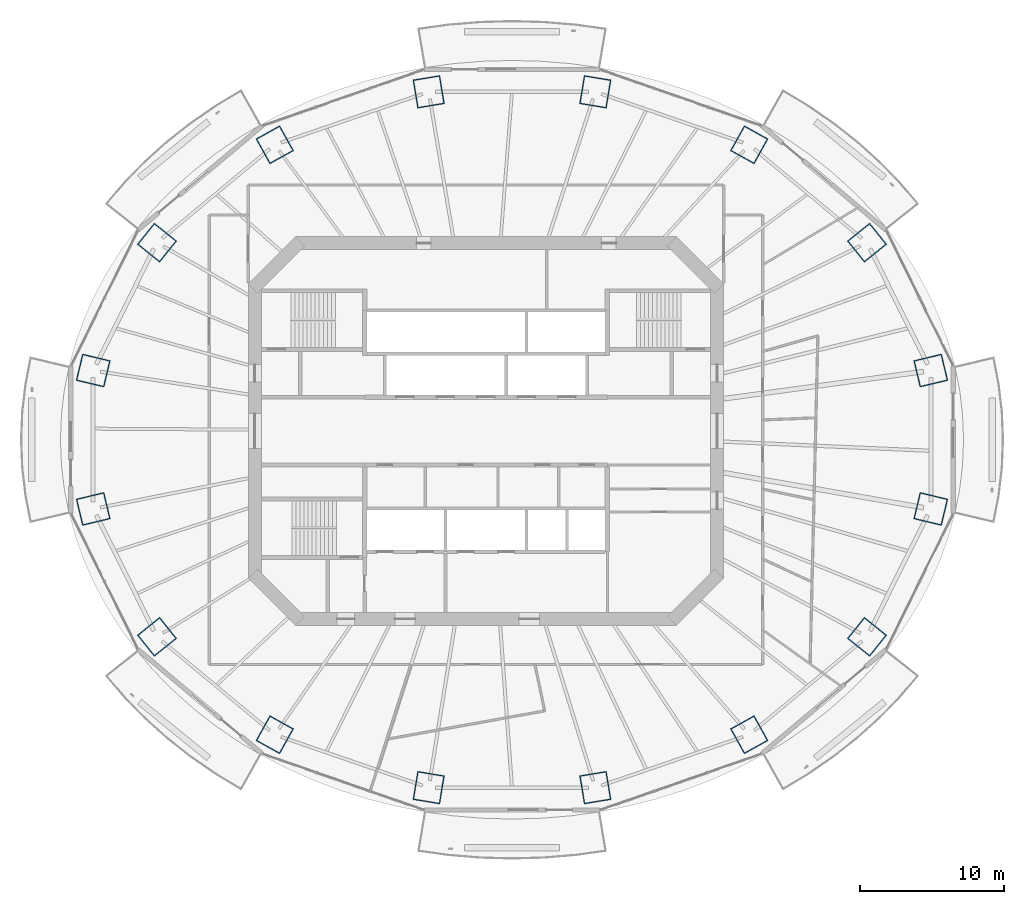
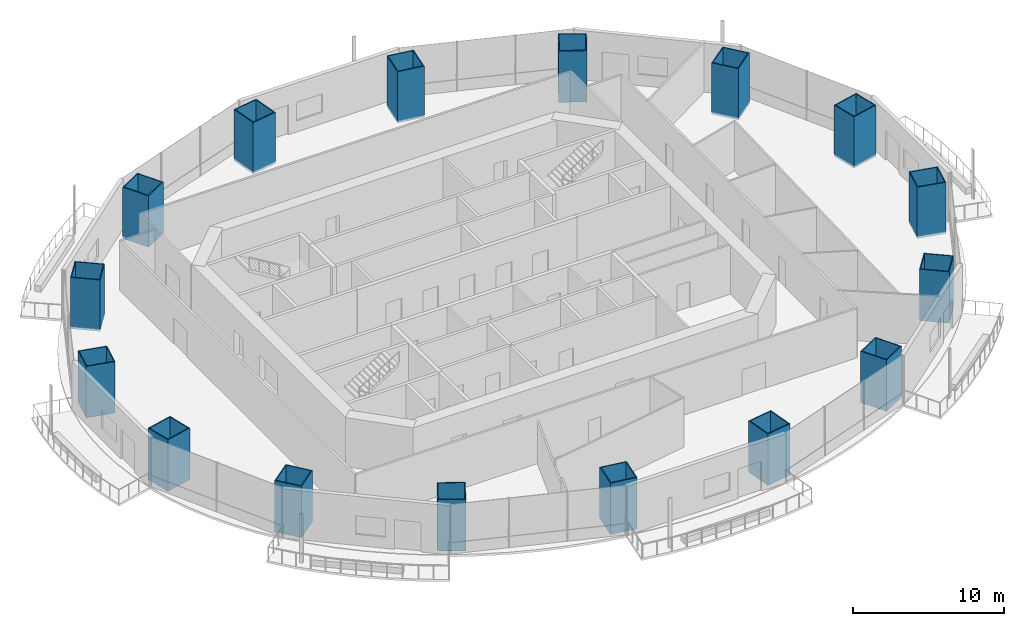
# One storey, part 1 of 20: 16 columns.
"""IFC4 building model written with IfcOpenShell, lengths in metres."""

from ifc_helpers import new_model, si_unit, direction, frame, origin, origin_2d, place, context, subcontext, project, spatial, rectangle, hollow_rectangle, extrude, material, material_profile, profile_set, type_object, element, save


model = new_model("IFC4")

# Units and contexts
model_context = context("Model", 3, precision=1e-05, world=origin(), true_north=direction((0.0, 1.0)))
body_context = subcontext(model_context, "Body", "Model", "MODEL_VIEW")
ifc_project = project(units=[si_unit("LENGTHUNIT", "METRE"), si_unit("AREAUNIT", "SQUARE_METRE"), si_unit("VOLUMEUNIT", "CUBIC_METRE"), si_unit("PLANEANGLEUNIT", "RADIAN"), si_unit("MASSUNIT", "GRAM", prefix="KILO")], contexts=[model_context])

# Site, building, storey
site_placement = place(None, origin())
site = spatial("IfcSite", under=ifc_project, at=site_placement, CompositionType="ELEMENT")
building_placement = place(site_placement, origin())
building = spatial("IfcBuilding", under=site, at=building_placement, Name="Marenthal Gate Tower", CompositionType="ELEMENT")
storey_placement = place(building_placement, frame((0.0, 0.0, 210.85009765625)))
storey = spatial("IfcBuildingStorey", under=building, at=storey_placement, Name="L46", CompositionType="ELEMENT", Elevation=210.85009765625)

# Columns
ifc_material_1 = material(Name="Steel S460", Category="steel")
ifc_material_profile_1 = material_profile(ifc_material_1, hollow_rectangle(XDim=1.89990234375, YDim=2.0, WallThickness=0.070068359375, at=origin_2d()), Name="CFT BOX 2000X1900X70")
ifc_material_2 = material(Name="Concrete 70 MPa", Category="concrete")
ifc_material_profile_2 = material_profile(ifc_material_2, rectangle(XDim=1.760009765625, YDim=1.860107421875, at=origin_2d()), Name="CFT BOX 2000X1900X70 INFILL")
ifc_profile_set = profile_set([ifc_material_profile_1, ifc_material_profile_2], Name="Steel S460 shell, Concrete 70 MPa infill")
column_type = type_object("IfcColumnType", Name="CFT BOX 2000X1900X70", PredefinedType="COLUMN", material=ifc_profile_set)
for number, where, z_axis, x_axis, name in (
    (1, (30.7822265625, 4.189453125, -0.18017578125), (0.0, 0.0, 1.0), (0.232842846574, -0.972514374598, 0.0), "COL-L46-01"),
    (2, (26.369873046875, 13.039306640625, -0.18017578125), (0.0, 0.0, 1.0), (0.626719421583, -0.779244997809, 0.0), "COL-L46-02"),
    (3, (18.217041015625, 19.8125, -0.18017578125), (0.0, 0.0, 1.0), (0.874319155172, -0.485351434426, 0.0), "COL-L46-03"),
    (4, (7.56494140625, 23.478271484375, -0.18017578125), (0.0, 0.0, 1.0), (0.986618870634, -0.163043565061, 0.0), "COL-L46-04"),
    (5, (-3.96484375, 23.478271484375, -0.18017578125), (0.0, 0.0, 1.0), (0.986618870634, 0.163043565061, 0.0), "COL-L46-05"),
    (6, (-14.6171875, 19.8125, -0.18017578125), (0.0, 0.0, 1.0), (0.874319155172, 0.485351434426, 0.0), "COL-L46-06"),
    (7, (-22.77001953125, 13.039306640625, -0.18017578125), (0.0, 0.0, 1.0), (0.626719421583, 0.779244997809, 0.0), "COL-L46-07"),
    (8, (-27.18212890625, 4.189453125, -0.18017578125), (0.0, 0.0, 1.0), (0.232842846574, 0.972514374598, 0.0), "COL-L46-08"),
    (9, (-27.18212890625, -5.389404296875, -0.18017578125), (0.0, 0.0, 1.0), (-0.232842846574, 0.972514374598, 0.0), "COL-L46-09"),
    (10, (-22.77001953125, -14.2392578125, -0.18017578125), (0.0, 0.0, 1.0), (-0.626719421583, 0.779244997809, 0.0), "COL-L46-10"),
    (11, (-14.6171875, -21.0126953125, -0.18017578125), (0.0, 0.0, 1.0), (-0.874319155172, 0.485351434426, 0.0), "COL-L46-11"),
    (12, (-3.96484375, -24.67822265625, -0.18017578125), (0.0, 0.0, 1.0), (-0.986618870634, 0.163043565061, 0.0), "COL-L46-12"),
    (13, (7.56494140625, -24.67822265625, -0.18017578125), (0.0, 0.0, 1.0), (-0.986618870634, -0.163043565061, 0.0), "COL-L46-13"),
    (14, (18.217041015625, -21.0126953125, -0.18017578125), (0.0, 0.0, 1.0), (-0.874319155172, -0.485351434426, 0.0), "COL-L46-14"),
    (15, (26.369873046875, -14.2392578125, -0.18017578125), (0.0, 0.0, 1.0), (-0.626719421583, -0.779244997809, 0.0), "COL-L46-15"),
    (16, (30.7822265625, -5.389404296875, -0.18017578125), (0.0, 0.0, 1.0), (-0.232842846574, -0.972514374598, 0.0), "COL-L46-16"),
):
    element("IfcColumn", number, at=place(storey_placement, frame(where, z_axis=z_axis, x_axis=x_axis)), inside=storey, type_object=column_type, Name=name, PredefinedType="COLUMN", context=body_context, shape_type="SweptSolid", body=[
        extrude(hollow_rectangle(XDim=1.89990234375, YDim=2.0, WallThickness=0.070068359375, at=origin_2d()), origin(), (0.0, 0.0, 1.0), 4.150146484375),
    ])

save(model, "model.ifc")
